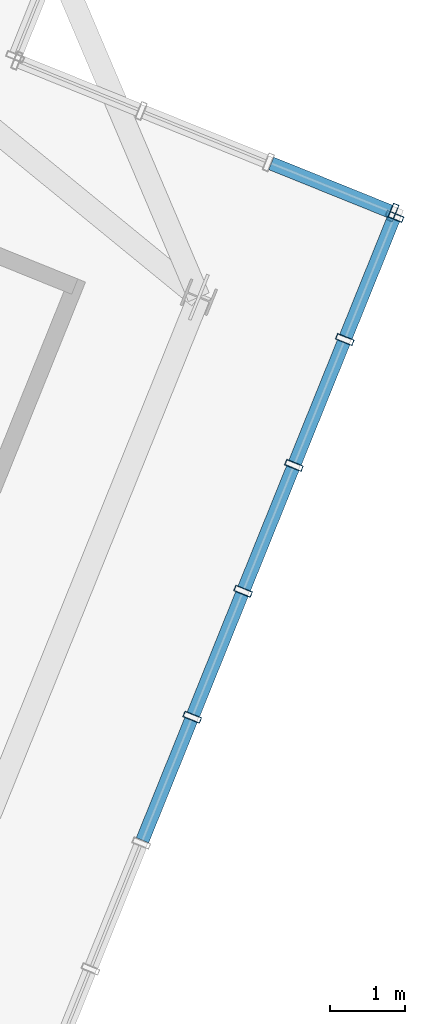
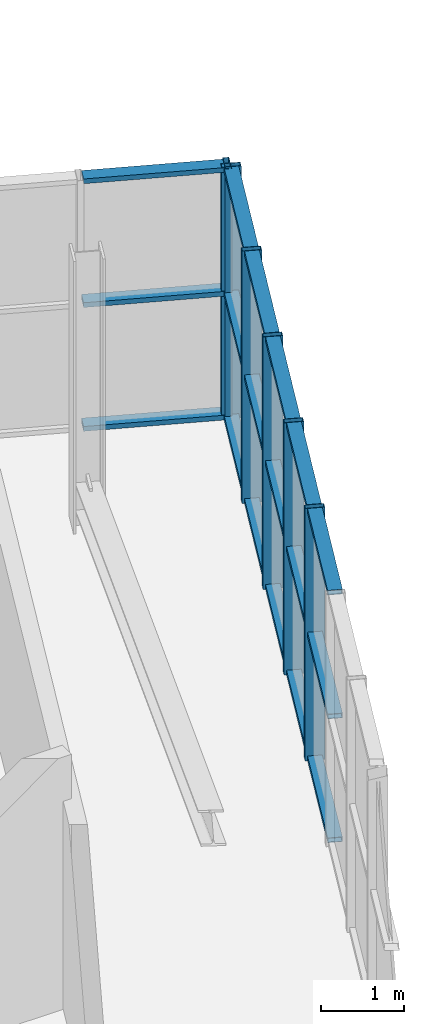
# One storey, part 11 of 26: 24 members, 2 elements without a shape of their own.
"""IFC4 building model written with IfcOpenShell, lengths in metres."""

from ifc_helpers import new_model, si_unit, direction, frame, origin, origin_2d, place, context, subcontext, project, spatial, hollow_rectangle, extrude, source, transform, mapped, material, layer, layer_set, material_profile, profile_set, type_object, element, aggregate, save


model = new_model("IFC4")

# Units and contexts
model_context = context("Model", 3, precision=1e-05, world=origin(), true_north=direction((0.0, 1.0)))
body_context = subcontext(model_context, "Body", "Model", "MODEL_VIEW")
ifc_project = project(units=[si_unit("LENGTHUNIT", "METRE"), si_unit("AREAUNIT", "SQUARE_METRE"), si_unit("VOLUMEUNIT", "CUBIC_METRE"), si_unit("PLANEANGLEUNIT", "RADIAN"), si_unit("MASSUNIT", "GRAM", prefix="KILO"), si_unit("THERMODYNAMICTEMPERATUREUNIT", "KELVIN")], contexts=[model_context])

# Site, building, storey
site_placement = place(None, origin())
site = spatial("IfcSite", under=ifc_project, at=site_placement, CompositionType="ELEMENT")
building_placement = place(site_placement, origin())
building = spatial("IfcBuilding", under=site, at=building_placement, Name="Kosmvard Interchange Tower", CompositionType="ELEMENT")
storey_placement = place(building_placement, frame((0.0, 0.0, 329.60009765625)))
storey = spatial("IfcBuildingStorey", under=building, at=storey_placement, Name="L81", CompositionType="ELEMENT", Elevation=329.60009765625)

# Curtain wall, members
ifc_material = material(Name="Architectural anodised aluminium", Category="aluminium")
ifc_layer = layer(ifc_material, 0.25, Name="Architectural anodised aluminium")
ifc_layer_set = layer_set([ifc_layer], Name="Architectural anodised aluminium")
curtain_wall_type = type_object("IfcCurtainWallType", Name="CW-6 Illuminated Crown Lantern Curtain Wall", PredefinedType="NOTDEFINED", material=ifc_layer_set)
curtain_wall_1_placement = place(storey_placement, origin())
curtain_wall_1 = element("IfcCurtainWall", 1, at=curtain_wall_1_placement, inside=storey, type_object=curtain_wall_type, Name="L81 Crown Lantern Glazing Face 01", PredefinedType="NOTDEFINED")
ifc_material_profile_1 = material_profile(ifc_material, hollow_rectangle(XDim=0.239990234375, YDim=0.080078125, WallThickness=0.006103515625, at=origin_2d()), Name="CWM 240x80x6")
ifc_profile_set_1 = profile_set([ifc_material_profile_1], Name="Architectural anodised aluminium")
member_type_1 = type_object("IfcMemberType", Name="Lantern & Observation CW Mullion 240x80 Aluminium", PredefinedType="MULLION", material=ifc_profile_set_1)
shared_shape_1 = source(origin(), body_context, "Body", "SweptSolid", [
    extrude(hollow_rectangle(XDim=0.239990234375, YDim=0.080078125, WallThickness=0.006103515625, at=origin_2d()), origin(), (0.0, 0.0, 1.0), 3.699951171875),
])
member_1_placement = place(storey_placement, frame((22.454833984375, -0.267578125, 0.0), z_axis=(0.0, 0.0, 1.0), x_axis=(-0.927183858065, 0.374606584758, 0.0)))
member_1 = element("IfcMember", 2, at=member_1_placement, type_object=member_type_1, Name="CW-6 mullion 14", PredefinedType="MULLION", context=body_context, shape_type="MappedRepresentation", body=[
    mapped(shared_shape_1, transform((0.0, 0.0, 0.0), scale=1.0)),
])
member_2_placement = place(storey_placement, frame((23.13427734375, 1.414306640625, 0.0), z_axis=(0.0, 0.0, 1.0), x_axis=(-0.927183858065, 0.374606584758, 0.0)))
member_2 = element("IfcMember", 3, at=member_2_placement, type_object=member_type_1, Name="CW-6 mullion 15", PredefinedType="MULLION", context=body_context, shape_type="MappedRepresentation", body=[
    mapped(shared_shape_1, transform((0.0, 0.0, 0.0), scale=1.0)),
])
member_3_placement = place(storey_placement, frame((23.81396484375, 3.096435546875, 0.0), z_axis=(0.0, 0.0, 1.0), x_axis=(-0.927183858065, 0.374606584758, 0.0)))
member_3 = element("IfcMember", 4, at=member_3_placement, type_object=member_type_1, Name="CW-6 mullion 16", PredefinedType="MULLION", context=body_context, shape_type="MappedRepresentation", body=[
    mapped(shared_shape_1, transform((0.0, 0.0, 0.0), scale=1.0)),
])
member_4_placement = place(storey_placement, frame((24.49365234375, 4.7783203125, 0.0), z_axis=(0.0, 0.0, 1.0), x_axis=(-0.927183858065, 0.374606584758, 0.0)))
member_4 = element("IfcMember", 5, at=member_4_placement, type_object=member_type_1, Name="CW-6 mullion 17", PredefinedType="MULLION", context=body_context, shape_type="MappedRepresentation", body=[
    mapped(shared_shape_1, transform((0.0, 0.0, 0.0), scale=1.0)),
])
member_5_placement = place(storey_placement, frame((25.158203125, 6.42333984375, 0.0), z_axis=(0.0, 0.0, 1.0), x_axis=(-0.927183858065, 0.374606584758, 0.0)))
member_5 = element("IfcMember", 6, at=member_5_placement, type_object=member_type_1, Name="CW-6 mullion 18", PredefinedType="MULLION", context=body_context, shape_type="MappedRepresentation", body=[
    mapped(shared_shape_1, transform((0.0, 0.0, 0.0), scale=1.0)),
])

# Curtain wall, member
curtain_wall_2_placement = place(storey_placement, origin())
curtain_wall_2 = element("IfcCurtainWall", 7, at=curtain_wall_2_placement, inside=storey, type_object=curtain_wall_type, Name="L81 Crown Lantern Glazing Face 02", PredefinedType="NOTDEFINED")
member_6_placement = place(storey_placement, frame((25.135986328125, 6.475341796875, 0.0), z_axis=(0.0, 0.0, 1.0), x_axis=(-0.374606564822, -0.92718386612, 0.0)))
member_6 = element("IfcMember", 8, at=member_6_placement, type_object=member_type_1, Name="CW-6 mullion 1", PredefinedType="MULLION", context=body_context, shape_type="MappedRepresentation", body=[
    mapped(shared_shape_1, transform((0.0, 0.0, 0.0), scale=1.0)),
])

# Member
ifc_material_profile_2 = material_profile(ifc_material, hollow_rectangle(XDim=0.179931640625, YDim=0.070068359375, WallThickness=0.0048828125, at=origin_2d()), Name="CWT 180x70x5")
ifc_profile_set_2 = profile_set([ifc_material_profile_2], Name="Architectural anodised aluminium")
member_type_2 = type_object("IfcMemberType", Name="Heavy Lantern CW Transom 180x70 Aluminium", PredefinedType="USERDEFINED", material=ifc_profile_set_2)
shared_shape_2 = source(origin(), body_context, "Body", "SweptSolid", [
    extrude(hollow_rectangle(XDim=0.179931640625, YDim=0.070068359375, WallThickness=0.0048828125, at=origin_2d()), origin(), (0.0, 0.0, 1.0), 1.694091796875),
])
member_7_placement = place(storey_placement, frame((24.508544921875, 4.8154296875, 0.034912109375), z_axis=(0.374544061831, 0.927209116514, 0.0), x_axis=(-0.927209116514, 0.374544061831, 0.0)))
member_7 = element("IfcMember", 9, at=member_7_placement, type_object=member_type_2, Name="CW-6 transom 17.1", ObjectType="TRANSOM", PredefinedType="USERDEFINED", context=body_context, shape_type="MappedRepresentation", body=[
    mapped(shared_shape_2, transform((0.0, 0.0, 0.0), scale=1.0)),
])

member_8_placement = place(storey_placement, frame((24.508544921875, 4.8154296875, 1.849853515625), z_axis=(0.374544061831, 0.927209116514, 0.0), x_axis=(-0.927209116514, 0.374544061831, 0.0)))
member_8 = element("IfcMember", 10, at=member_8_placement, type_object=member_type_2, Name="CW-6 transom 17.2", ObjectType="TRANSOM", PredefinedType="USERDEFINED", context=body_context, shape_type="MappedRepresentation", body=[
    mapped(shared_shape_2, transform((0.0, 0.0, 0.0), scale=1.0)),
])

member_9_placement = place(storey_placement, frame((24.508544921875, 4.8154296875, 3.664794921875), z_axis=(0.374544061831, 0.927209116514, 0.0), x_axis=(-0.927209116514, 0.374544061831, 0.0)))
member_9 = element("IfcMember", 11, at=member_9_placement, type_object=member_type_2, Name="CW-6 transom 17.3", ObjectType="TRANSOM", PredefinedType="USERDEFINED", context=body_context, shape_type="MappedRepresentation", body=[
    mapped(shared_shape_2, transform((0.0, 0.0, 0.0), scale=1.0)),
])

shared_shape_3 = source(origin(), body_context, "Body", "SweptSolid", [
    extrude(hollow_rectangle(XDim=0.179931640625, YDim=0.070068359375, WallThickness=0.0048828125, at=origin_2d()), origin(), (0.0, 0.0, 1.0), 1.734130859375),
])
member_10_placement = place(storey_placement, frame((21.790283203125, -1.91259765625, 0.034912109375), z_axis=(0.374495638732, 0.927228675447, 0.0), x_axis=(-0.927228675447, 0.374495638732, 0.0)))
member_10 = element("IfcMember", 12, at=member_10_placement, type_object=member_type_2, Name="CW-6 transom 13.1", ObjectType="TRANSOM", PredefinedType="USERDEFINED", context=body_context, shape_type="MappedRepresentation", body=[
    mapped(shared_shape_3, transform((0.0, 0.0, 0.0), scale=1.0)),
])

member_11_placement = place(storey_placement, frame((21.790283203125, -1.91259765625, 1.849853515625), z_axis=(0.374495638732, 0.927228675447, 0.0), x_axis=(-0.927228675447, 0.374495638732, 0.0)))
member_11 = element("IfcMember", 13, at=member_11_placement, type_object=member_type_2, Name="CW-6 transom 13.2", ObjectType="TRANSOM", PredefinedType="USERDEFINED", context=body_context, shape_type="MappedRepresentation", body=[
    mapped(shared_shape_3, transform((0.0, 0.0, 0.0), scale=1.0)),
])

member_12_placement = place(storey_placement, frame((21.790283203125, -1.91259765625, 3.664794921875), z_axis=(0.374495638732, 0.927228675447, 0.0), x_axis=(-0.927228675447, 0.374495638732, 0.0)))
member_12 = element("IfcMember", 14, at=member_12_placement, type_object=member_type_2, Name="CW-6 transom 13.3", ObjectType="TRANSOM", PredefinedType="USERDEFINED", context=body_context, shape_type="MappedRepresentation", body=[
    mapped(shared_shape_3, transform((0.0, 0.0, 0.0), scale=1.0)),
])

member_13_placement = place(storey_placement, frame((23.1494140625, 1.451416015625, 0.034912109375), z_axis=(0.374616671924, 0.927179782522, 0.0), x_axis=(-0.927179782522, 0.374616671924, 0.0)))
member_13 = element("IfcMember", 15, at=member_13_placement, type_object=member_type_2, Name="CW-6 transom 15.1", ObjectType="TRANSOM", PredefinedType="USERDEFINED", context=body_context, shape_type="MappedRepresentation", body=[
    mapped(shared_shape_3, transform((0.0, 0.0, 0.0), scale=1.0)),
])

member_14_placement = place(storey_placement, frame((23.1494140625, 1.451416015625, 1.849853515625), z_axis=(0.374616671924, 0.927179782522, 0.0), x_axis=(-0.927179782522, 0.374616671924, 0.0)))
member_14 = element("IfcMember", 16, at=member_14_placement, type_object=member_type_2, Name="CW-6 transom 15.2", ObjectType="TRANSOM", PredefinedType="USERDEFINED", context=body_context, shape_type="MappedRepresentation", body=[
    mapped(shared_shape_3, transform((0.0, 0.0, 0.0), scale=1.0)),
])

member_15_placement = place(storey_placement, frame((23.1494140625, 1.451416015625, 3.664794921875), z_axis=(0.374616671924, 0.927179782522, 0.0), x_axis=(-0.927179782522, 0.374616671924, 0.0)))
member_15 = element("IfcMember", 17, at=member_15_placement, type_object=member_type_2, Name="CW-6 transom 15.3", ObjectType="TRANSOM", PredefinedType="USERDEFINED", context=body_context, shape_type="MappedRepresentation", body=[
    mapped(shared_shape_3, transform((0.0, 0.0, 0.0), scale=1.0)),
])

shared_shape_4 = source(origin(), body_context, "Body", "SweptSolid", [
    extrude(hollow_rectangle(XDim=0.179931640625, YDim=0.070068359375, WallThickness=0.0048828125, at=origin_2d()), origin(), (0.0, 0.0, 1.0), 1.73388671875),
])
member_16_placement = place(storey_placement, frame((22.4697265625, -0.23046875, 0.034912109375), z_axis=(0.374665576032, 0.927160021861, 0.0), x_axis=(-0.927160021861, 0.374665576032, 0.0)))
member_16 = element("IfcMember", 18, at=member_16_placement, type_object=member_type_2, Name="CW-6 transom 14.1", ObjectType="TRANSOM", PredefinedType="USERDEFINED", context=body_context, shape_type="MappedRepresentation", body=[
    mapped(shared_shape_4, transform((0.0, 0.0, 0.0), scale=1.0)),
])

member_17_placement = place(storey_placement, frame((22.4697265625, -0.23046875, 1.849853515625), z_axis=(0.374665576032, 0.927160021861, 0.0), x_axis=(-0.927160021861, 0.374665576032, 0.0)))
member_17 = element("IfcMember", 19, at=member_17_placement, type_object=member_type_2, Name="CW-6 transom 14.2", ObjectType="TRANSOM", PredefinedType="USERDEFINED", context=body_context, shape_type="MappedRepresentation", body=[
    mapped(shared_shape_4, transform((0.0, 0.0, 0.0), scale=1.0)),
])

member_18_placement = place(storey_placement, frame((22.4697265625, -0.23046875, 3.664794921875), z_axis=(0.374665576032, 0.927160021861, 0.0), x_axis=(-0.927160021861, 0.374665576032, 0.0)))
member_18 = element("IfcMember", 20, at=member_18_placement, type_object=member_type_2, Name="CW-6 transom 14.3", ObjectType="TRANSOM", PredefinedType="USERDEFINED", context=body_context, shape_type="MappedRepresentation", body=[
    mapped(shared_shape_4, transform((0.0, 0.0, 0.0), scale=1.0)),
])

member_19_placement = place(storey_placement, frame((23.828857421875, 3.133544921875, 0.034912109375), z_axis=(0.374665576032, 0.927160021861, 0.0), x_axis=(-0.927160021861, 0.374665576032, 0.0)))
member_19 = element("IfcMember", 21, at=member_19_placement, type_object=member_type_2, Name="CW-6 transom 16.1", ObjectType="TRANSOM", PredefinedType="USERDEFINED", context=body_context, shape_type="MappedRepresentation", body=[
    mapped(shared_shape_4, transform((0.0, 0.0, 0.0), scale=1.0)),
])

member_20_placement = place(storey_placement, frame((23.828857421875, 3.133544921875, 1.849853515625), z_axis=(0.374665576032, 0.927160021861, 0.0), x_axis=(-0.927160021861, 0.374665576032, 0.0)))
member_20 = element("IfcMember", 22, at=member_20_placement, type_object=member_type_2, Name="CW-6 transom 16.2", ObjectType="TRANSOM", PredefinedType="USERDEFINED", context=body_context, shape_type="MappedRepresentation", body=[
    mapped(shared_shape_4, transform((0.0, 0.0, 0.0), scale=1.0)),
])

member_21_placement = place(storey_placement, frame((23.828857421875, 3.133544921875, 3.664794921875), z_axis=(0.374665576032, 0.927160021861, 0.0), x_axis=(-0.927160021861, 0.374665576032, 0.0)))
member_21 = element("IfcMember", 23, at=member_21_placement, type_object=member_type_2, Name="CW-6 transom 16.3", ObjectType="TRANSOM", PredefinedType="USERDEFINED", context=body_context, shape_type="MappedRepresentation", body=[
    mapped(shared_shape_4, transform((0.0, 0.0, 0.0), scale=1.0)),
])

aggregate(curtain_wall_1, [member_1, member_2, member_3, member_4, member_5, member_10, member_11, member_12, member_16, member_17, member_18, member_13, member_14, member_15, member_19, member_20, member_21, member_7, member_8, member_9])

shared_shape_5 = source(origin(), body_context, "Body", "SweptSolid", [
    extrude(hollow_rectangle(XDim=0.179931640625, YDim=0.070068359375, WallThickness=0.0048828125, at=origin_2d()), origin(), (0.0, 0.0, 1.0), 1.71337890625),
])
member_22_placement = place(storey_placement, frame((25.098876953125, 6.490478515625, 0.034912109375), z_axis=(-0.927233273404, 0.374484254265, 0.0), x_axis=(-0.374484254265, -0.927233273404, 0.0)))
member_22 = element("IfcMember", 24, at=member_22_placement, type_object=member_type_2, Name="CW-6 transom 1.1", ObjectType="TRANSOM", PredefinedType="USERDEFINED", context=body_context, shape_type="MappedRepresentation", body=[
    mapped(shared_shape_5, transform((0.0, 0.0, 0.0), scale=1.0)),
])

member_23_placement = place(storey_placement, frame((25.098876953125, 6.490478515625, 1.849853515625), z_axis=(-0.927233273404, 0.374484254265, 0.0), x_axis=(-0.374484254265, -0.927233273404, 0.0)))
member_23 = element("IfcMember", 25, at=member_23_placement, type_object=member_type_2, Name="CW-6 transom 1.2", ObjectType="TRANSOM", PredefinedType="USERDEFINED", context=body_context, shape_type="MappedRepresentation", body=[
    mapped(shared_shape_5, transform((0.0, 0.0, 0.0), scale=1.0)),
])

member_24_placement = place(storey_placement, frame((25.098876953125, 6.490478515625, 3.664794921875), z_axis=(-0.927233273404, 0.374484254265, 0.0), x_axis=(-0.374484254265, -0.927233273404, 0.0)))
member_24 = element("IfcMember", 26, at=member_24_placement, type_object=member_type_2, Name="CW-6 transom 1.3", ObjectType="TRANSOM", PredefinedType="USERDEFINED", context=body_context, shape_type="MappedRepresentation", body=[
    mapped(shared_shape_5, transform((0.0, 0.0, 0.0), scale=1.0)),
])

aggregate(curtain_wall_2, [member_6, member_22, member_23, member_24])

save(model, "model.ifc")
